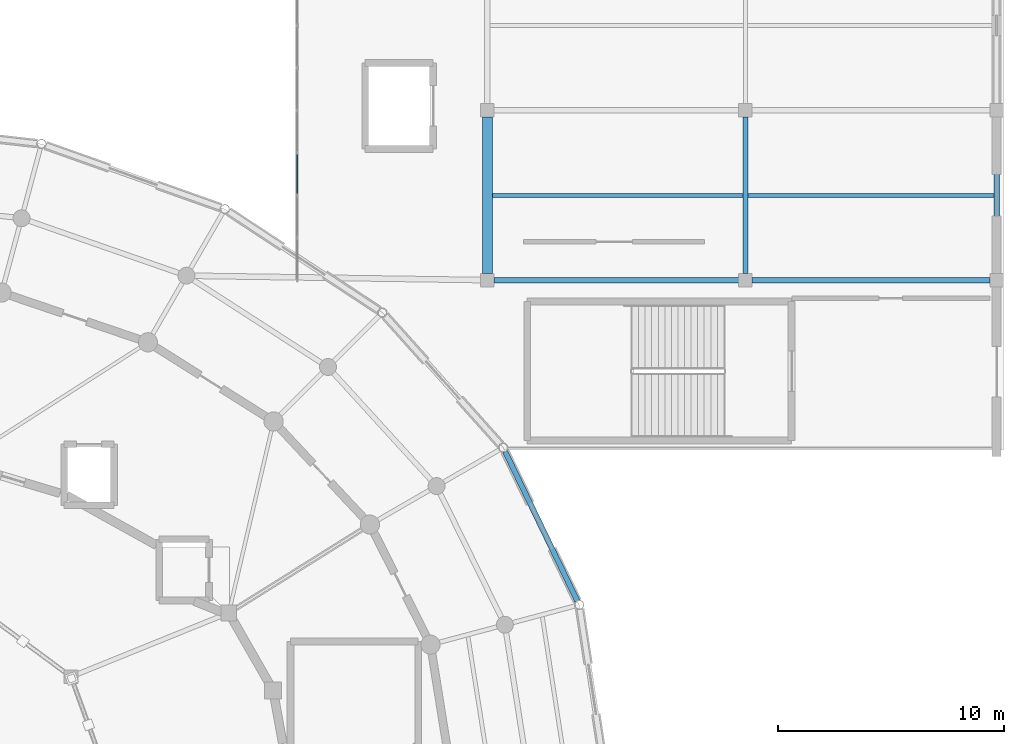
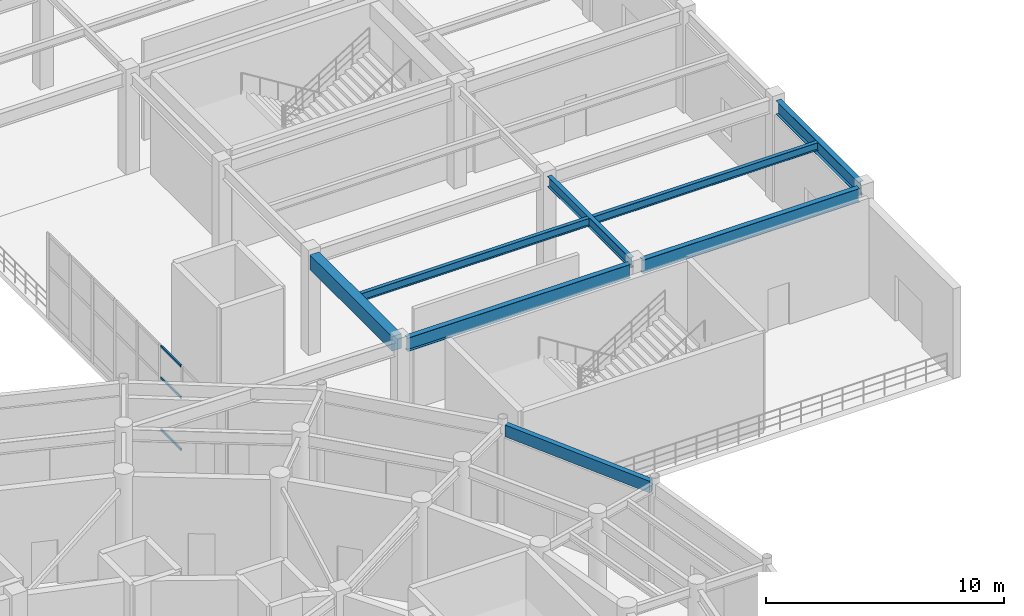
# One storey, part 36 of 93: 8 beams, 3 members, 1 element without a shape of its own.
"""IFC4 building model written with IfcOpenShell, lengths in metres."""

from ifc_helpers import new_model, si_unit, direction, frame, origin, origin_2d, place, context, subcontext, project, spatial, rectangle, i_section, extrude, material, material_profile, profile_set, type_object, element, aggregate, save


model = new_model("IFC4")

# Units and contexts
model_context = context("Model", 3, precision=1e-05, world=origin(), true_north=direction((0.0, 1.0)))
body_context = subcontext(model_context, "Body", "Model", "MODEL_VIEW")
ifc_project = project(units=[si_unit("LENGTHUNIT", "METRE"), si_unit("AREAUNIT", "SQUARE_METRE"), si_unit("VOLUMEUNIT", "CUBIC_METRE"), si_unit("PLANEANGLEUNIT", "RADIAN"), si_unit("MASSUNIT", "GRAM", prefix="KILO")], contexts=[model_context])

# Site, building, storey
site_placement = place(None, origin())
site = spatial("IfcSite", under=ifc_project, at=site_placement, CompositionType="ELEMENT")
building_placement = place(site_placement, origin())
building = spatial("IfcBuilding", under=site, at=building_placement, Name="Cinderbank Siding Concert Hall", CompositionType="ELEMENT")
storey_placement = place(building_placement, origin())
storey = spatial("IfcBuildingStorey", under=building, at=storey_placement, Name="L01", CompositionType="ELEMENT", Elevation=0.0)

# Beams
ifc_material_1 = material(Name="Reinforced concrete AS 3600 N50 (50 MPa)", Category="concrete")
ifc_material_profile_1 = material_profile(ifc_material_1, rectangle(XDim=0.449951171875, YDim=0.75, at=origin_2d()), Name="RC-BM-450x750", Category="LoadBearing")
ifc_profile_set_1 = profile_set([ifc_material_profile_1], Name="Reinforced concrete AS 3600 N50 (50 MPa)")
beam_type_1 = type_object("IfcBeamType", Name="BM-RC750 RC-BM-450x750", PredefinedType="BEAM", material=ifc_profile_set_1)
beam_1_placement = place(storey_placement, frame((150.39990234375, 66.092041015625, 4.76708984375), z_axis=(0.0, 1.0, 0.0), x_axis=(-1.0, 0.0, 0.0)))
element("IfcBeam", 1, at=beam_1_placement, inside=storey, type_object=beam_type_1, Name="L01 Beam BM-RC750 #1407", PredefinedType="BEAM", context=body_context, shape_type="SweptSolid", body=[
    extrude(rectangle(XDim=0.449951171875, YDim=0.75, at=origin_2d()), origin(), (0.0, 0.0, 1.0), 6.916015625),
])
ifc_material_2 = material(Name="Structural steel AS/NZS 3679.1 Grade 350 (340 MPa)", Category="steel")
ifc_material_profile_2 = material_profile(ifc_material_2, i_section(OverallWidth=0.208984375, OverallDepth=0.5283203125, WebThickness=0.009521484375, FlangeThickness=0.01318359375, at=origin_2d()), Name="530UB82.0", Category="LoadBearing")
ifc_profile_set_2 = profile_set([ifc_material_profile_2], Name="Structural steel AS/NZS 3679.1 Grade 350 (340 MPa)")
beam_type_2 = type_object("IfcBeamType", Name="BM-UB530 530UB82.0", PredefinedType="BEAM", material=ifc_profile_set_2)
beam_2_placement = place(storey_placement, frame((161.800048828125, 66.092041015625, 4.8779296875), z_axis=(0.0, 1.0, 0.0), x_axis=(-1.0, 0.0, 0.0)))
element("IfcBeam", 2, at=beam_2_placement, inside=storey, type_object=beam_type_2, Name="L01 Beam BM-UB530 #1413", PredefinedType="BEAM", context=body_context, shape_type="SweptSolid", body=[
    extrude(i_section(OverallWidth=0.208984375, OverallDepth=0.5283203125, WebThickness=0.009521484375, FlangeThickness=0.01318359375, at=origin_2d()), origin(), (0.0, 0.0, 1.0), 6.916015625),
])
ifc_material_3 = material(Name="Structural steel welded plate section AS/NZS 3679.2 / AS/NZS 3678 Grade 350 (340 MPa)", Category="steel")
ifc_material_profile_3 = material_profile(ifc_material_3, i_section(OverallWidth=0.25, OverallDepth=0.699951171875, WebThickness=0.010009765625, FlangeThickness=0.01611328125, at=origin_2d()), Name="700WB130", Category="LoadBearing")
ifc_profile_set_3 = profile_set([ifc_material_profile_3], Name="Structural steel welded plate section AS/NZS 3679.2 / AS/NZS 3678 Grade 350 (340 MPa)")
beam_type_3 = type_object("IfcBeamType", Name="BM-WB700 700WB130", PredefinedType="BEAM", material=ifc_profile_set_3)
beam_3_placement = place(storey_placement, frame((150.69189453125, 65.800048828125, 4.7919921875), z_axis=(1.0, 0.0, 0.0), x_axis=(0.0, 1.0, 0.0)))
element("IfcBeam", 3, at=beam_3_placement, inside=storey, type_object=beam_type_3, Name="L01 Beam BM-WB700 #1406", PredefinedType="BEAM", context=body_context, shape_type="SweptSolid", body=[
    extrude(i_section(OverallWidth=0.25, OverallDepth=0.699951171875, WebThickness=0.010009765625, FlangeThickness=0.01611328125, at=origin_2d()), origin(), (0.0, 0.0, 1.0), 10.816162109375),
])
beam_4_placement = place(storey_placement, frame((162.092041015625, 65.800048828125, 4.7919921875), z_axis=(1.0, 0.0, 0.0), x_axis=(0.0, 1.0, 0.0)))
element("IfcBeam", 4, at=beam_4_placement, inside=storey, type_object=beam_type_3, Name="L01 Beam BM-WB700 #1412", PredefinedType="BEAM", context=body_context, shape_type="SweptSolid", body=[
    extrude(i_section(OverallWidth=0.25, OverallDepth=0.699951171875, WebThickness=0.010009765625, FlangeThickness=0.01611328125, at=origin_2d()), origin(), (0.0, 0.0, 1.0), 10.515869140625),
])
beam_5_placement = place(storey_placement, frame((172.89990234375, 66.092041015625, 4.7919921875), z_axis=(0.0, 1.0, 0.0), x_axis=(-1.0, 0.0, 0.0)))
element("IfcBeam", 5, at=beam_5_placement, inside=storey, type_object=beam_type_3, Name="L01 Beam BM-WB700 #1418", PredefinedType="BEAM", context=body_context, shape_type="SweptSolid", body=[
    extrude(i_section(OverallWidth=0.25, OverallDepth=0.699951171875, WebThickness=0.010009765625, FlangeThickness=0.01611328125, at=origin_2d()), origin(), (0.0, 0.0, 1.0), 6.916015625),
])

# Curtain wall, members
ifc_material_4 = material(Name="Anodised aluminium alloy 6063-T6", Category="aluminium")
curtain_wall_type = type_object("IfcCurtainWallType", Name="CW-16 Unitised Acoustic Curtain Wall 9200x3800", PredefinedType="NOTDEFINED", material=ifc_material_4)
curtain_wall_placement = place(storey_placement, origin())
curtain_wall = element("IfcCurtainWall", 6, at=curtain_wall_placement, inside=storey, type_object=curtain_wall_type, Name="L01 Curtain Wall CW-16 #144", PredefinedType="NOTDEFINED")
ifc_material_profile_4 = material_profile(ifc_material_4, rectangle(XDim=0.06005859375, YDim=0.1201171875, at=origin_2d()), Name="ALU-TRAN-60x120", Category="LoadBearing")
ifc_profile_set_4 = profile_set([ifc_material_profile_4], Name="Anodised aluminium alloy 6063-T6")
member_type = type_object("IfcMemberType", Name="CW-TR1 Transom 60x120", PredefinedType="USERDEFINED", material=ifc_profile_set_4)
member_1_placement = place(storey_placement, frame((142.0, 69.643798828125, 0.06005859375), z_axis=(0.0, 1.0, 0.0), x_axis=(-1.0, 0.0, 0.0)))
member_1 = element("IfcMember", 7, at=member_1_placement, type_object=member_type, Name="CW-L01-144 Transom 2-0", ObjectType="TRANSOM", PredefinedType="USERDEFINED", context=body_context, shape_type="SweptSolid", body=[
    extrude(rectangle(XDim=0.06005859375, YDim=0.1201171875, at=origin_2d()), origin(), (0.0, 0.0, 1.0), 1.6875),
])
member_2_placement = place(storey_placement, frame((142.0, 69.643798828125, 2.72802734375), z_axis=(0.0, 1.0, 0.0), x_axis=(-1.0, 0.0, 0.0)))
member_2 = element("IfcMember", 8, at=member_2_placement, type_object=member_type, Name="CW-L01-144 Transom 2-1", ObjectType="TRANSOM", PredefinedType="USERDEFINED", context=body_context, shape_type="SweptSolid", body=[
    extrude(rectangle(XDim=0.06005859375, YDim=0.1201171875, at=origin_2d()), origin(), (0.0, 0.0, 1.0), 1.6875),
])
member_3_placement = place(storey_placement, frame((142.0, 69.643798828125, 4.340087890625), z_axis=(0.0, 1.0, 0.0), x_axis=(-1.0, 0.0, 0.0)))
member_3 = element("IfcMember", 9, at=member_3_placement, type_object=member_type, Name="CW-L01-144 Transom 2-2", ObjectType="TRANSOM", PredefinedType="USERDEFINED", context=body_context, shape_type="SweptSolid", body=[
    extrude(rectangle(XDim=0.06005859375, YDim=0.1201171875, at=origin_2d()), origin(), (0.0, 0.0, 1.0), 1.6875),
])
aggregate(curtain_wall, [member_1, member_2, member_3])

# Beams
ifc_material_profile_5 = material_profile(ifc_material_2, i_section(OverallWidth=0.177978515625, OverallDepth=0.402587890625, WebThickness=0.007568359375, FlangeThickness=0.010986328125, at=origin_2d()), Name="410UB53.7", Category="LoadBearing")
ifc_profile_set_5 = profile_set([ifc_material_profile_5], Name="Structural steel AS/NZS 3679.1 Grade 350 (340 MPa)")
beam_type_4 = type_object("IfcBeamType", Name="JS-UB410 410UB53.7", PredefinedType="JOIST", material=ifc_profile_set_5)
beam_6_placement = place(storey_placement, frame((150.616943359375, 69.550048828125, 4.940673828125), z_axis=(1.0, 0.0, 0.0), x_axis=(0.0, 1.0, 0.0)))
element("IfcBeam", 10, at=beam_6_placement, inside=storey, type_object=beam_type_4, Name="L01 Beam JS-UB410 #1478", PredefinedType="JOIST", context=body_context, shape_type="SweptSolid", body=[
    extrude(i_section(OverallWidth=0.177978515625, OverallDepth=0.402587890625, WebThickness=0.007568359375, FlangeThickness=0.010986328125, at=origin_2d()), origin(), (0.0, 0.0, 1.0), 11.086669921875),
])
beam_7_placement = place(storey_placement, frame((161.896484375, 69.550048828125, 4.940673828125), z_axis=(1.0, 0.0, 0.0), x_axis=(0.0, 1.0, 0.0)))
element("IfcBeam", 11, at=beam_7_placement, inside=storey, type_object=beam_type_4, Name="L01 Beam JS-UB410 #1480", PredefinedType="JOIST", context=body_context, shape_type="SweptSolid", body=[
    extrude(i_section(OverallWidth=0.177978515625, OverallDepth=0.402587890625, WebThickness=0.007568359375, FlangeThickness=0.010986328125, at=origin_2d()), origin(), (0.0, 0.0, 1.0), 10.886474609375),
])
ifc_material_5 = material(Name="Spotted gum glulam timber GL18 (42 MPa)", Category="wood")
ifc_material_profile_6 = material_profile(ifc_material_5, rectangle(XDim=0.239990234375, YDim=0.60009765625, at=origin_2d()), Name="GL18-240x600", Category="LoadBearing")
ifc_profile_set_6 = profile_set([ifc_material_profile_6], Name="Spotted gum glulam timber GL18 (42 MPa)")
beam_type_5 = type_object("IfcBeamType", Name="SP-GL600 GL18-240x600", PredefinedType="SPANDREL", material=ifc_profile_set_6)
beam_8_placement = place(storey_placement, frame((154.3701171875, 51.6298828125, 4.802001953125), z_axis=(-0.435119119312, 0.900372896087, 0.0), x_axis=(-0.900372896087, -0.435119119312, 0.0)))
element("IfcBeam", 12, at=beam_8_placement, inside=storey, type_object=beam_type_5, Name="L01 Beam SP-GL600 #358", PredefinedType="SPANDREL", context=body_context, shape_type="SweptSolid", body=[
    extrude(rectangle(XDim=0.239990234375, YDim=0.60009765625, at=origin_2d()), origin(), (0.0, 0.0, 1.0), 7.323974609375),
])

save(model, "model.ifc")
